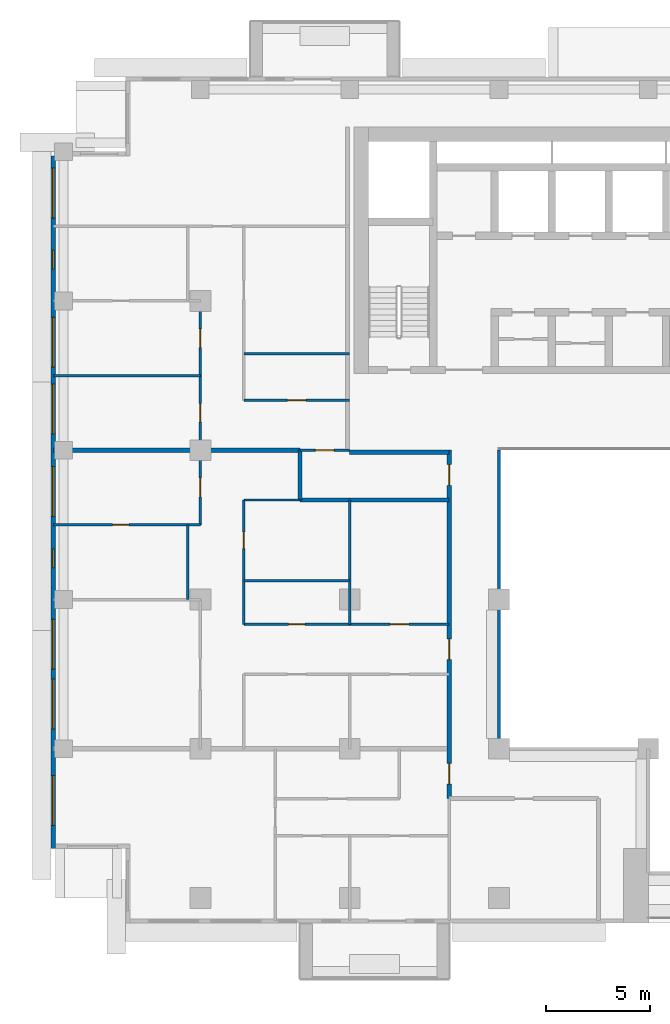
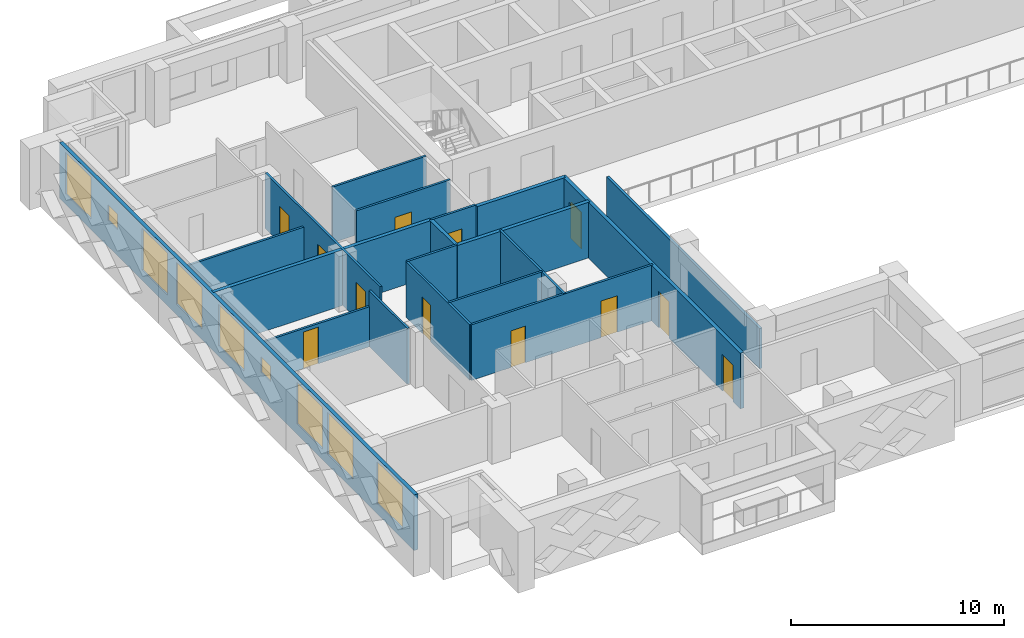
# One storey, part 7 of 20: 19 walls, 12 doors, 9 windows, 21 openings.
"""IFC4 building model written with IfcOpenShell, lengths in metres."""

from ifc_helpers import new_model, si_unit, direction, frame, frame_2d, origin, place, context, subcontext, project, spatial, rectangle, extrude, material, layer, layer_set, type_object, element, fill, save


model = new_model("IFC4")

# Units and contexts
model_context = context("Model", 3, precision=1e-05, world=origin(), true_north=direction((0.0, 1.0)))
body_context = subcontext(model_context, "Body", "Model", "MODEL_VIEW")
ifc_project = project(units=[si_unit("LENGTHUNIT", "METRE"), si_unit("AREAUNIT", "SQUARE_METRE"), si_unit("VOLUMEUNIT", "CUBIC_METRE"), si_unit("PLANEANGLEUNIT", "RADIAN"), si_unit("MASSUNIT", "GRAM", prefix="KILO")], contexts=[model_context])

# Site, building, storey
site_placement = place(None, origin())
site = spatial("IfcSite", under=ifc_project, at=site_placement, CompositionType="ELEMENT")
building_placement = place(site_placement, origin())
building = spatial("IfcBuilding", under=site, at=building_placement, Name="Saffron Iwan Residences", CompositionType="ELEMENT")
storey_placement = place(building_placement, frame((0.0, 0.0, 146.5)))
storey = spatial("IfcBuildingStorey", under=building, at=storey_placement, Name="L38", CompositionType="ELEMENT", Elevation=146.5)

# Wall
ifc_material_1 = material(Name="Fire-rated glazing", Category="glass")
ifc_layer_1 = layer(ifc_material_1, 0.14990234375)
ifc_layer_set_1 = layer_set([ifc_layer_1], Name="Fire-rated glazing")
wall_type_1 = type_object("IfcWallType", Name="Atrium glazed screen 150", PredefinedType="SOLIDWALL", material=ifc_layer_set_1)
wall_1_placement = place(storey_placement, frame((36.0, 48.0, 0.0), z_axis=(0.0, 0.0, 1.0), x_axis=(0.0, 1.0, 0.0)))
element("IfcWall", 1, at=wall_1_placement, inside=storey, type_object=wall_type_1, Name="W-L38-SCREEN-v36-48", PredefinedType="SOLIDWALL", context=body_context, shape_type="SweptSolid", body=[
    extrude(rectangle(XDim=14.39990234375, YDim=0.14990234375, at=frame_2d((7.199951171875, 0.0))), origin(), (0.0, 0.0, 1.0), 2.300048828125),
])

# Wall, openings, windows
ifc_material_2 = material(Name="Concrete C40/50", Category="concrete")
ifc_layer_2 = layer(ifc_material_2, 0.199951171875)
ifc_layer_set_2 = layer_set([ifc_layer_2], Name="Concrete C40/50")
wall_type_2 = type_object("IfcWallType", Name="EXTERNAL WALL 200", PredefinedType="SOLIDWALL", material=ifc_layer_set_2)
wall_2_placement = place(storey_placement, frame((14.5, 76.60009765625, 0.0), z_axis=(0.0, 0.0, 1.0), x_axis=(0.0, -1.0, 0.0)))
wall_2 = element("IfcWall", 2, at=wall_2_placement, inside=storey, type_object=wall_type_2, Name="External wall L38 F8.0", PredefinedType="SOLIDWALL", context=body_context, shape_type="SweptSolid", body=[
    extrude(rectangle(XDim=33.400146484375, YDim=0.199951171875, at=frame_2d((16.7001953125, 0.0))), origin(), (0.0, 0.0, 1.0), 3.199951171875),
])
opening_1_placement = place(wall_2_placement, frame((29.887451171875, 0.0, 0.60009765625)))
opening_1 = element("IfcOpeningElement", 3, at=opening_1_placement, cuts=wall_2, Name="Opening W1", PredefinedType="OPENING", context=body_context, shape_type="SweptSolid", body=[
    extrude(rectangle(XDim=2.39990234375, YDim=2.39990234375, at=frame_2d((1.199951171875, 1.199951171875))), frame((0.0, 0.10986328125, 0.0), z_axis=(0.0, -1.0, 0.0), x_axis=(1.0, 0.0, 0.0)), (0.0, 0.0, 1.0), 0.219970703125),
])
opening_2_placement = place(wall_2_placement, frame((22.3583984375, 0.0, 0.60009765625)))
opening_2 = element("IfcOpeningElement", 4, at=opening_2_placement, cuts=wall_2, Name="Opening W1", PredefinedType="OPENING", context=body_context, shape_type="SweptSolid", body=[
    extrude(rectangle(XDim=2.39990234375, YDim=2.39990234375, at=frame_2d((1.199951171875, 1.199951171875))), frame((0.0, 0.10986328125, 0.0), z_axis=(0.0, -1.0, 0.0), x_axis=(1.0, 0.0, 0.0)), (0.0, 0.0, 1.0), 0.219970703125),
])
opening_3_placement = place(wall_2_placement, frame((25.24169921875, 0.0, 0.60009765625)))
opening_3 = element("IfcOpeningElement", 5, at=opening_3_placement, cuts=wall_2, Name="Opening W1", PredefinedType="OPENING", context=body_context, shape_type="SweptSolid", body=[
    extrude(rectangle(XDim=2.39990234375, YDim=2.39990234375, at=frame_2d((1.199951171875, 1.199951171875))), frame((0.0, 0.10986328125, 0.0), z_axis=(0.0, -1.0, 0.0), x_axis=(1.0, 0.0, 0.0)), (0.0, 0.0, 1.0), 0.219970703125),
])
opening_4_placement = place(wall_2_placement, frame((14.987548828125, 0.0, 0.60009765625)))
opening_4 = element("IfcOpeningElement", 6, at=opening_4_placement, cuts=wall_2, Name="Opening W1", PredefinedType="OPENING", context=body_context, shape_type="SweptSolid", body=[
    extrude(rectangle(XDim=2.39990234375, YDim=2.39990234375, at=frame_2d((1.199951171875, 1.199951171875))), frame((0.0, 0.10986328125, 0.0), z_axis=(0.0, -1.0, 0.0), x_axis=(1.0, 0.0, 0.0)), (0.0, 0.0, 1.0), 0.219970703125),
])
opening_5_placement = place(wall_2_placement, frame((18.96240234375, 0.0, 1.5)))
opening_5 = element("IfcOpeningElement", 7, at=opening_5_placement, cuts=wall_2, Name="Opening W6", PredefinedType="OPENING", context=body_context, shape_type="SweptSolid", body=[
    extrude(rectangle(XDim=0.89990234375, YDim=0.89990234375, at=frame_2d((0.449951171875, 0.449951171875))), frame((0.0, 0.10986328125, 0.0), z_axis=(0.0, -1.0, 0.0), x_axis=(1.0, 0.0, 0.0)), (0.0, 0.0, 1.0), 0.219970703125),
])
opening_6_placement = place(wall_2_placement, frame((11.012451171875, 0.0, 0.60009765625)))
opening_6 = element("IfcOpeningElement", 8, at=opening_6_placement, cuts=wall_2, Name="Opening W1", PredefinedType="OPENING", context=body_context, shape_type="SweptSolid", body=[
    extrude(rectangle(XDim=2.39990234375, YDim=2.39990234375, at=frame_2d((1.199951171875, 1.199951171875))), frame((0.0, 0.10986328125, 0.0), z_axis=(0.0, -1.0, 0.0), x_axis=(1.0, 0.0, 0.0)), (0.0, 0.0, 1.0), 0.219970703125),
])
opening_7_placement = place(wall_2_placement, frame((7.78759765625, 0.0, 0.60009765625)))
opening_7 = element("IfcOpeningElement", 9, at=opening_7_placement, cuts=wall_2, Name="Opening W1", PredefinedType="OPENING", context=body_context, shape_type="SweptSolid", body=[
    extrude(rectangle(XDim=2.39990234375, YDim=2.39990234375, at=frame_2d((1.199951171875, 1.199951171875))), frame((0.0, 0.10986328125, 0.0), z_axis=(0.0, -1.0, 0.0), x_axis=(1.0, 0.0, 0.0)), (0.0, 0.0, 1.0), 0.219970703125),
])
opening_8_placement = place(wall_2_placement, frame((4.5625, 0.0, 1.5)))
opening_8 = element("IfcOpeningElement", 10, at=opening_8_placement, cuts=wall_2, Name="Opening W6", PredefinedType="OPENING", context=body_context, shape_type="SweptSolid", body=[
    extrude(rectangle(XDim=0.89990234375, YDim=0.89990234375, at=frame_2d((0.449951171875, 0.449951171875))), frame((0.0, 0.10986328125, 0.0), z_axis=(0.0, -1.0, 0.0), x_axis=(1.0, 0.0, 0.0)), (0.0, 0.0, 1.0), 0.219970703125),
])
opening_9_placement = place(wall_2_placement, frame((0.60009765625, 0.0, 0.60009765625)))
opening_9 = element("IfcOpeningElement", 11, at=opening_9_placement, cuts=wall_2, Name="Opening W1", PredefinedType="OPENING", context=body_context, shape_type="SweptSolid", body=[
    extrude(rectangle(XDim=2.39990234375, YDim=2.39990234375, at=frame_2d((1.199951171875, 1.199951171875))), frame((0.0, 0.10986328125, 0.0), z_axis=(0.0, -1.0, 0.0), x_axis=(1.0, 0.0, 0.0)), (0.0, 0.0, 1.0), 0.219970703125),
])
ifc_material_3 = material(Name="Clear glass, laminated double glazed", Category="glass")
window_type_1 = type_object("IfcWindowType", Name="WINDOW 2400 x 2400", PartitioningType="DOUBLE_PANEL_VERTICAL", PredefinedType="WINDOW", material=ifc_material_3)
window_1_placement = place(opening_1_placement, origin())
window_1 = element("IfcWindow", 12, at=window_1_placement, inside=storey, type_object=window_type_1, Name="Window L38 F8.0", OverallHeight=2.39990234375, OverallWidth=2.39990234375, PartitioningType="DOUBLE_PANEL_VERTICAL", PredefinedType="WINDOW", context=body_context, shape_type="SweptSolid", body=[
    extrude(rectangle(XDim=2.39990234375, YDim=2.39990234375, at=frame_2d((1.199951171875, 1.199951171875))), frame((0.0, 0.030029296875, 0.0), z_axis=(0.0, -1.0, 0.0), x_axis=(1.0, 0.0, 0.0)), (0.0, 0.0, 1.0), 0.06005859375),
])
fill(opening_1, window_1)
window_2_placement = place(opening_2_placement, origin())
window_2 = element("IfcWindow", 13, at=window_2_placement, inside=storey, type_object=window_type_1, Name="Window L38 F8.1", OverallHeight=2.39990234375, OverallWidth=2.39990234375, PartitioningType="DOUBLE_PANEL_VERTICAL", PredefinedType="WINDOW", context=body_context, shape_type="SweptSolid", body=[
    extrude(rectangle(XDim=2.39990234375, YDim=2.39990234375, at=frame_2d((1.199951171875, 1.199951171875))), frame((0.0, 0.030029296875, 0.0), z_axis=(0.0, -1.0, 0.0), x_axis=(1.0, 0.0, 0.0)), (0.0, 0.0, 1.0), 0.06005859375),
])
fill(opening_2, window_2)
window_3_placement = place(opening_3_placement, origin())
window_3 = element("IfcWindow", 14, at=window_3_placement, inside=storey, type_object=window_type_1, Name="Window L38 F8.2", OverallHeight=2.39990234375, OverallWidth=2.39990234375, PartitioningType="DOUBLE_PANEL_VERTICAL", PredefinedType="WINDOW", context=body_context, shape_type="SweptSolid", body=[
    extrude(rectangle(XDim=2.39990234375, YDim=2.39990234375, at=frame_2d((1.199951171875, 1.199951171875))), frame((0.0, 0.030029296875, 0.0), z_axis=(0.0, -1.0, 0.0), x_axis=(1.0, 0.0, 0.0)), (0.0, 0.0, 1.0), 0.06005859375),
])
fill(opening_3, window_3)
window_4_placement = place(opening_4_placement, origin())
window_4 = element("IfcWindow", 15, at=window_4_placement, inside=storey, type_object=window_type_1, Name="Window L38 F8.3", OverallHeight=2.39990234375, OverallWidth=2.39990234375, PartitioningType="DOUBLE_PANEL_VERTICAL", PredefinedType="WINDOW", context=body_context, shape_type="SweptSolid", body=[
    extrude(rectangle(XDim=2.39990234375, YDim=2.39990234375, at=frame_2d((1.199951171875, 1.199951171875))), frame((0.0, 0.030029296875, 0.0), z_axis=(0.0, -1.0, 0.0), x_axis=(1.0, 0.0, 0.0)), (0.0, 0.0, 1.0), 0.06005859375),
])
fill(opening_4, window_4)
window_5_placement = place(opening_6_placement, origin())
window_5 = element("IfcWindow", 16, at=window_5_placement, inside=storey, type_object=window_type_1, Name="Window L38 F8.5", OverallHeight=2.39990234375, OverallWidth=2.39990234375, PartitioningType="DOUBLE_PANEL_VERTICAL", PredefinedType="WINDOW", context=body_context, shape_type="SweptSolid", body=[
    extrude(rectangle(XDim=2.39990234375, YDim=2.39990234375, at=frame_2d((1.199951171875, 1.199951171875))), frame((0.0, 0.030029296875, 0.0), z_axis=(0.0, -1.0, 0.0), x_axis=(1.0, 0.0, 0.0)), (0.0, 0.0, 1.0), 0.06005859375),
])
fill(opening_6, window_5)
window_6_placement = place(opening_7_placement, origin())
window_6 = element("IfcWindow", 17, at=window_6_placement, inside=storey, type_object=window_type_1, Name="Window L38 F8.6", OverallHeight=2.39990234375, OverallWidth=2.39990234375, PartitioningType="DOUBLE_PANEL_VERTICAL", PredefinedType="WINDOW", context=body_context, shape_type="SweptSolid", body=[
    extrude(rectangle(XDim=2.39990234375, YDim=2.39990234375, at=frame_2d((1.199951171875, 1.199951171875))), frame((0.0, 0.030029296875, 0.0), z_axis=(0.0, -1.0, 0.0), x_axis=(1.0, 0.0, 0.0)), (0.0, 0.0, 1.0), 0.06005859375),
])
fill(opening_7, window_6)
window_7_placement = place(opening_9_placement, origin())
window_7 = element("IfcWindow", 18, at=window_7_placement, inside=storey, type_object=window_type_1, Name="Window L38 F8.8", OverallHeight=2.39990234375, OverallWidth=2.39990234375, PartitioningType="DOUBLE_PANEL_VERTICAL", PredefinedType="WINDOW", context=body_context, shape_type="SweptSolid", body=[
    extrude(rectangle(XDim=2.39990234375, YDim=2.39990234375, at=frame_2d((1.199951171875, 1.199951171875))), frame((0.0, 0.030029296875, 0.0), z_axis=(0.0, -1.0, 0.0), x_axis=(1.0, 0.0, 0.0)), (0.0, 0.0, 1.0), 0.06005859375),
])
fill(opening_9, window_7)
window_type_2 = type_object("IfcWindowType", Name="WINDOW 900 x 900 BATH", PartitioningType="SINGLE_PANEL", PredefinedType="WINDOW", material=ifc_material_3)
window_8_placement = place(opening_5_placement, origin())
window_8 = element("IfcWindow", 19, at=window_8_placement, inside=storey, type_object=window_type_2, Name="Window L38 F8.4", OverallHeight=0.89990234375, OverallWidth=0.89990234375, PartitioningType="SINGLE_PANEL", PredefinedType="WINDOW", context=body_context, shape_type="SweptSolid", body=[
    extrude(rectangle(XDim=0.89990234375, YDim=0.89990234375, at=frame_2d((0.449951171875, 0.449951171875))), frame((0.0, 0.030029296875, 0.0), z_axis=(0.0, -1.0, 0.0), x_axis=(1.0, 0.0, 0.0)), (0.0, 0.0, 1.0), 0.06005859375),
])
fill(opening_5, window_8)
window_9_placement = place(opening_8_placement, origin())
window_9 = element("IfcWindow", 20, at=window_9_placement, inside=storey, type_object=window_type_2, Name="Window L38 F8.7", OverallHeight=0.89990234375, OverallWidth=0.89990234375, PartitioningType="SINGLE_PANEL", PredefinedType="WINDOW", context=body_context, shape_type="SweptSolid", body=[
    extrude(rectangle(XDim=0.89990234375, YDim=0.89990234375, at=frame_2d((0.449951171875, 0.449951171875))), frame((0.0, 0.030029296875, 0.0), z_axis=(0.0, -1.0, 0.0), x_axis=(1.0, 0.0, 0.0)), (0.0, 0.0, 1.0), 0.06005859375),
])
fill(opening_8, window_9)

# Walls
ifc_material_4 = material(Name="Fire-rated gypsum board wall")
ifc_layer_3 = layer(ifc_material_4, 0.199951171875)
ifc_layer_set_3 = layer_set([ifc_layer_3], Name="Fire-rated gypsum board wall")
wall_type_3 = type_object("IfcWallType", Name="Flat demising wall 200", PredefinedType="SOLIDWALL", material=ifc_layer_set_3)
wall_3_placement = place(storey_placement, frame((26.39990234375, 60.0, 0.0), z_axis=(0.0, 0.0, 1.0), x_axis=(1.0, 0.0, 0.0)))
element("IfcWall", 21, at=wall_3_placement, inside=storey, type_object=wall_type_3, Name="W-L38-DEMISE-h60-26.4", PredefinedType="SOLIDWALL", context=body_context, shape_type="SweptSolid", body=[
    extrude(rectangle(XDim=7.2001953125, YDim=0.199951171875, at=frame_2d((3.60009765625, 0.0))), origin(), (0.0, 0.0, 1.0), 3.199951171875),
])
wall_4_placement = place(storey_placement, frame((14.52490234375, 62.39990234375, 0.0), z_axis=(0.0, 0.0, 1.0), x_axis=(1.0, 0.0, 0.0)))
element("IfcWall", 22, at=wall_4_placement, inside=storey, type_object=wall_type_3, Name="W-L38-DEMISE-h62.4-14.525", PredefinedType="SOLIDWALL", context=body_context, shape_type="SweptSolid", body=[
    extrude(rectangle(XDim=11.875, YDim=0.199951171875, at=frame_2d((5.9375, 0.0))), origin(), (0.0, 0.0, 1.0), 3.199951171875),
])
wall_5_placement = place(storey_placement, frame((26.39990234375, 60.0, 0.0), z_axis=(0.0, 0.0, 1.0), x_axis=(0.0, 1.0, 0.0)))
element("IfcWall", 23, at=wall_5_placement, inside=storey, type_object=wall_type_3, Name="W-L38-DEMISE-v26.4-60", PredefinedType="SOLIDWALL", context=body_context, shape_type="SweptSolid", body=[
    extrude(rectangle(XDim=2.39990234375, YDim=0.199951171875, at=frame_2d((1.199951171875, 0.0))), origin(), (0.0, 0.0, 1.0), 3.199951171875),
])

# Wall, openings, doors
ifc_material_5 = material(Name="Gypsum board partition")
ifc_layer_4 = layer(ifc_material_5, 0.1201171875)
ifc_layer_set_4 = layer_set([ifc_layer_4], Name="Gypsum board partition")
wall_type_4 = type_object("IfcWallType", Name="Flat partition 120", PredefinedType="PARTITIONING", material=ifc_layer_set_4)
wall_6_placement = place(storey_placement, frame((23.699951171875, 54.0, 0.0), z_axis=(0.0, 0.0, 1.0), x_axis=(1.0, 0.0, 0.0)))
wall_6 = element("IfcWall", 24, at=wall_6_placement, inside=storey, type_object=wall_type_4, Name="W-L38-PART-h54-23.7", PredefinedType="PARTITIONING", context=body_context, shape_type="SweptSolid", body=[
    extrude(rectangle(XDim=9.900146484375, YDim=0.1201171875, at=frame_2d((4.9501953125, 0.0))), origin(), (0.0, 0.0, 1.0), 3.199951171875),
])
opening_10_placement = place(wall_6_placement, frame((2.14990234375, 0.0, 0.0)))
opening_10 = element("IfcOpeningElement", 25, at=opening_10_placement, cuts=wall_6, Name="Opening FD3", PredefinedType="OPENING", context=body_context, shape_type="SweptSolid", body=[
    extrude(rectangle(XDim=0.800048828125, YDim=2.10009765625, at=frame_2d((0.39990234375, 1.050048828125))), frame((0.0, 0.070068359375, 0.0), z_axis=(0.0, -1.0, 0.0), x_axis=(1.0, 0.0, 0.0)), (0.0, 0.0, 1.0), 0.14013671875),
])
opening_11_placement = place(wall_6_placement, frame((7.050048828125, 0.0, 0.0)))
opening_11 = element("IfcOpeningElement", 26, at=opening_11_placement, cuts=wall_6, Name="Opening FD2", PredefinedType="OPENING", context=body_context, shape_type="SweptSolid", body=[
    extrude(rectangle(XDim=0.89990234375, YDim=2.10009765625, at=frame_2d((0.449951171875, 1.050048828125))), frame((0.0, 0.070068359375, 0.0), z_axis=(0.0, -1.0, 0.0), x_axis=(1.0, 0.0, 0.0)), (0.0, 0.0, 1.0), 0.14013671875),
])
ifc_material_6 = material(Name="Timber door", Category="wood")
door_type_1 = type_object("IfcDoorType", Name="Bathroom door 800", OperationType="NOTDEFINED", PredefinedType="DOOR", material=ifc_material_6)
door_1_placement = place(opening_10_placement, origin())
door_1 = element("IfcDoor", 27, at=door_1_placement, inside=storey, type_object=door_type_1, Name="Door L38-012", OperationType="SINGLE_SWING_LEFT", OverallHeight=2.10009765625, OverallWidth=0.800048828125, PredefinedType="DOOR", context=body_context, shape_type="SweptSolid", body=[
    extrude(rectangle(XDim=0.800048828125, YDim=2.10009765625, at=frame_2d((0.39990234375, 1.050048828125))), frame((0.0, 0.02490234375, 0.0), z_axis=(0.0, -1.0, 0.0), x_axis=(1.0, 0.0, 0.0)), (0.0, 0.0, 1.0), 0.050048828125),
])
fill(opening_10, door_1)
door_type_2 = type_object("IfcDoorType", Name="Flat door 900", OperationType="NOTDEFINED", PredefinedType="DOOR", material=ifc_material_6)
door_2_placement = place(opening_11_placement, origin())
door_2 = element("IfcDoor", 28, at=door_2_placement, inside=storey, type_object=door_type_2, Name="Door L38-015", OperationType="SINGLE_SWING_LEFT", OverallHeight=2.10009765625, OverallWidth=0.89990234375, PredefinedType="DOOR", context=body_context, shape_type="SweptSolid", body=[
    extrude(rectangle(XDim=0.89990234375, YDim=2.10009765625, at=frame_2d((0.449951171875, 1.050048828125))), frame((0.0, 0.02490234375, 0.0), z_axis=(0.0, -1.0, 0.0), x_axis=(1.0, 0.0, 0.0)), (0.0, 0.0, 1.0), 0.050048828125),
])
fill(opening_11, door_2)

# Wall
wall_7_placement = place(storey_placement, frame((23.699951171875, 56.10009765625, 0.0), z_axis=(0.0, 0.0, 1.0), x_axis=(1.0, 0.0, 0.0)))
element("IfcWall", 29, at=wall_7_placement, inside=storey, type_object=wall_type_4, Name="W-L38-PART-h56.1-23.7", PredefinedType="PARTITIONING", context=body_context, shape_type="SweptSolid", body=[
    extrude(rectangle(XDim=5.10009765625, YDim=0.1201171875, at=frame_2d((2.550048828125, 0.0))), origin(), (0.0, 0.0, 1.0), 3.199951171875),
])

# Wall, opening, door
wall_8_placement = place(storey_placement, frame((14.52490234375, 58.800048828125, 0.0), z_axis=(0.0, 0.0, 1.0), x_axis=(1.0, 0.0, 0.0)))
wall_8 = element("IfcWall", 30, at=wall_8_placement, inside=storey, type_object=wall_type_4, Name="W-L38-PART-h58.8-14.525", PredefinedType="PARTITIONING", context=body_context, shape_type="SweptSolid", body=[
    extrude(rectangle(XDim=7.0751953125, YDim=0.1201171875, at=frame_2d((3.53759765625, 0.0))), origin(), (0.0, 0.0, 1.0), 2.300048828125),
])
opening_12_placement = place(wall_8_placement, frame((2.83740234375, 0.0, 0.0)))
opening_12 = element("IfcOpeningElement", 31, at=opening_12_placement, cuts=wall_8, Name="Opening FD3", PredefinedType="OPENING", context=body_context, shape_type="SweptSolid", body=[
    extrude(rectangle(XDim=0.800048828125, YDim=2.10009765625, at=frame_2d((0.39990234375, 1.050048828125))), frame((0.0, 0.070068359375, 0.0), z_axis=(0.0, -1.0, 0.0), x_axis=(1.0, 0.0, 0.0)), (0.0, 0.0, 1.0), 0.14013671875),
])
door_3_placement = place(opening_12_placement, origin())
door_3 = element("IfcDoor", 32, at=door_3_placement, inside=storey, type_object=door_type_1, Name="Door L38-010", OperationType="SINGLE_SWING_LEFT", OverallHeight=2.10009765625, OverallWidth=0.800048828125, PredefinedType="DOOR", context=body_context, shape_type="SweptSolid", body=[
    extrude(rectangle(XDim=0.800048828125, YDim=2.10009765625, at=frame_2d((0.39990234375, 1.050048828125))), frame((0.0, 0.02490234375, 0.0), z_axis=(0.0, -1.0, 0.0), x_axis=(1.0, 0.0, 0.0)), (0.0, 0.0, 1.0), 0.050048828125),
])
fill(opening_12, door_3)

# Wall
wall_9_placement = place(storey_placement, frame((23.699951171875, 60.0, 0.0), z_axis=(0.0, 0.0, 1.0), x_axis=(1.0, 0.0, 0.0)))
element("IfcWall", 33, at=wall_9_placement, inside=storey, type_object=wall_type_4, Name="W-L38-PART-h60-23.7", PredefinedType="PARTITIONING", context=body_context, shape_type="SweptSolid", body=[
    extrude(rectangle(XDim=2.699951171875, YDim=0.1201171875, at=frame_2d((1.35009765625, 0.0))), origin(), (0.0, 0.0, 1.0), 3.199951171875),
])

# Wall, opening, door
wall_10_placement = place(storey_placement, frame((26.39990234375, 62.39990234375, 0.0), z_axis=(0.0, 0.0, 1.0), x_axis=(1.0, 0.0, 0.0)))
wall_10 = element("IfcWall", 34, at=wall_10_placement, inside=storey, type_object=wall_type_4, Name="W-L38-PART-h62.4-26.4", PredefinedType="PARTITIONING", context=body_context, shape_type="SweptSolid", body=[
    extrude(rectangle(XDim=2.400146484375, YDim=0.1201171875, at=frame_2d((1.2001953125, 0.0))), origin(), (0.0, 0.0, 1.0), 3.199951171875),
])
opening_13_placement = place(wall_10_placement, frame((0.75, 0.0, 0.0)))
opening_13 = element("IfcOpeningElement", 35, at=opening_13_placement, cuts=wall_10, Name="Opening FD2", PredefinedType="OPENING", context=body_context, shape_type="SweptSolid", body=[
    extrude(rectangle(XDim=0.89990234375, YDim=2.10009765625, at=frame_2d((0.449951171875, 1.050048828125))), frame((0.0, 0.070068359375, 0.0), z_axis=(0.0, -1.0, 0.0), x_axis=(1.0, 0.0, 0.0)), (0.0, 0.0, 1.0), 0.14013671875),
])
door_4_placement = place(opening_13_placement, origin())
door_4 = element("IfcDoor", 36, at=door_4_placement, inside=storey, type_object=door_type_2, Name="Door L38-022", OperationType="SINGLE_SWING_LEFT", OverallHeight=2.10009765625, OverallWidth=0.89990234375, PredefinedType="DOOR", context=body_context, shape_type="SweptSolid", body=[
    extrude(rectangle(XDim=0.89990234375, YDim=2.10009765625, at=frame_2d((0.449951171875, 1.050048828125))), frame((0.0, 0.02490234375, 0.0), z_axis=(0.0, -1.0, 0.0), x_axis=(1.0, 0.0, 0.0)), (0.0, 0.0, 1.0), 0.050048828125),
])
fill(opening_13, door_4)

wall_11_placement = place(storey_placement, frame((23.699951171875, 64.800048828125, 0.0), z_axis=(0.0, 0.0, 1.0), x_axis=(1.0, 0.0, 0.0)))
wall_11 = element("IfcWall", 37, at=wall_11_placement, inside=storey, type_object=wall_type_4, Name="W-L38-PART-h64.8-23.7", PredefinedType="PARTITIONING", context=body_context, shape_type="SweptSolid", body=[
    extrude(rectangle(XDim=5.10009765625, YDim=0.1201171875, at=frame_2d((2.550048828125, 0.0))), origin(), (0.0, 0.0, 1.0), 3.199951171875),
])
opening_14_placement = place(wall_11_placement, frame((2.10009765625, 0.0, 0.0)))
opening_14 = element("IfcOpeningElement", 38, at=opening_14_placement, cuts=wall_11, Name="Opening FD2", PredefinedType="OPENING", context=body_context, shape_type="SweptSolid", body=[
    extrude(rectangle(XDim=0.89990234375, YDim=2.10009765625, at=frame_2d((0.449951171875, 1.050048828125))), frame((0.0, 0.070068359375, 0.0), z_axis=(0.0, -1.0, 0.0), x_axis=(1.0, 0.0, 0.0)), (0.0, 0.0, 1.0), 0.14013671875),
])
door_5_placement = place(opening_14_placement, origin())
door_5 = element("IfcDoor", 39, at=door_5_placement, inside=storey, type_object=door_type_2, Name="Door L38-028", OperationType="SINGLE_SWING_LEFT", OverallHeight=2.10009765625, OverallWidth=0.89990234375, PredefinedType="DOOR", context=body_context, shape_type="SweptSolid", body=[
    extrude(rectangle(XDim=0.89990234375, YDim=2.10009765625, at=frame_2d((0.449951171875, 1.050048828125))), frame((0.0, 0.02490234375, 0.0), z_axis=(0.0, -1.0, 0.0), x_axis=(1.0, 0.0, 0.0)), (0.0, 0.0, 1.0), 0.050048828125),
])
fill(opening_14, door_5)

# Walls
wall_12_placement = place(storey_placement, frame((14.52490234375, 66.0, 0.0), z_axis=(0.0, 0.0, 1.0), x_axis=(1.0, 0.0, 0.0)))
element("IfcWall", 40, at=wall_12_placement, inside=storey, type_object=wall_type_4, Name="W-L38-PART-h66-14.525", PredefinedType="PARTITIONING", context=body_context, shape_type="SweptSolid", body=[
    extrude(rectangle(XDim=7.0751953125, YDim=0.1201171875, at=frame_2d((3.53759765625, 0.0))), origin(), (0.0, 0.0, 1.0), 2.300048828125),
])
wall_13_placement = place(storey_placement, frame((23.699951171875, 67.050048828125, 0.0), z_axis=(0.0, 0.0, 1.0), x_axis=(1.0, 0.0, 0.0)))
element("IfcWall", 41, at=wall_13_placement, inside=storey, type_object=wall_type_4, Name="W-L38-PART-h67.05-23.7", PredefinedType="PARTITIONING", context=body_context, shape_type="SweptSolid", body=[
    extrude(rectangle(XDim=5.10009765625, YDim=0.1201171875, at=frame_2d((2.550048828125, 0.0))), origin(), (0.0, 0.0, 1.0), 3.199951171875),
])
wall_14_placement = place(storey_placement, frame((21.0, 55.199951171875, 0.0), z_axis=(0.0, 0.0, 1.0), x_axis=(0.0, 1.0, 0.0)))
element("IfcWall", 42, at=wall_14_placement, inside=storey, type_object=wall_type_4, Name="W-L38-PART-v21-55.2", PredefinedType="PARTITIONING", context=body_context, shape_type="SweptSolid", body=[
    extrude(rectangle(XDim=3.60009765625, YDim=0.1201171875, at=frame_2d((1.800048828125, 0.0))), origin(), (0.0, 0.0, 1.0), 3.199951171875),
])

# Wall, openings, doors
wall_15_placement = place(storey_placement, frame((21.60009765625, 58.800048828125, 0.0), z_axis=(0.0, 0.0, 1.0), x_axis=(0.0, 1.0, 0.0)))
wall_15 = element("IfcWall", 43, at=wall_15_placement, inside=storey, type_object=wall_type_4, Name="W-L38-PART-v21.6-58.8", PredefinedType="PARTITIONING", context=body_context, shape_type="SweptSolid", body=[
    extrude(rectangle(XDim=10.800048828125, YDim=0.1201171875, at=frame_2d((5.39990234375, 0.0))), origin(), (0.0, 0.0, 1.0), 3.199951171875),
])
opening_15_placement = place(wall_15_placement, frame((1.35009765625, 0.0, 0.0)))
opening_15 = element("IfcOpeningElement", 44, at=opening_15_placement, cuts=wall_15, Name="Opening FD2", PredefinedType="OPENING", context=body_context, shape_type="SweptSolid", body=[
    extrude(rectangle(XDim=0.89990234375, YDim=2.10009765625, at=frame_2d((0.449951171875, 1.050048828125))), frame((0.0, 0.070068359375, 0.0), z_axis=(0.0, -1.0, 0.0), x_axis=(1.0, 0.0, 0.0)), (0.0, 0.0, 1.0), 0.14013671875),
])
opening_16_placement = place(wall_15_placement, frame((4.949951171875, 0.0, 0.0)))
opening_16 = element("IfcOpeningElement", 45, at=opening_16_placement, cuts=wall_15, Name="Opening FD2", PredefinedType="OPENING", context=body_context, shape_type="SweptSolid", body=[
    extrude(rectangle(XDim=0.89990234375, YDim=2.10009765625, at=frame_2d((0.449951171875, 1.050048828125))), frame((0.0, 0.070068359375, 0.0), z_axis=(0.0, -1.0, 0.0), x_axis=(1.0, 0.0, 0.0)), (0.0, 0.0, 1.0), 0.14013671875),
])
opening_17_placement = place(wall_15_placement, frame((8.550048828125, 0.0, 0.0)))
opening_17 = element("IfcOpeningElement", 46, at=opening_17_placement, cuts=wall_15, Name="Opening FD2", PredefinedType="OPENING", context=body_context, shape_type="SweptSolid", body=[
    extrude(rectangle(XDim=0.89990234375, YDim=2.10009765625, at=frame_2d((0.449951171875, 1.050048828125))), frame((0.0, 0.070068359375, 0.0), z_axis=(0.0, -1.0, 0.0), x_axis=(1.0, 0.0, 0.0)), (0.0, 0.0, 1.0), 0.14013671875),
])
door_6_placement = place(opening_15_placement, origin())
door_6 = element("IfcDoor", 47, at=door_6_placement, inside=storey, type_object=door_type_2, Name="Door L38-009", OperationType="SINGLE_SWING_LEFT", OverallHeight=2.10009765625, OverallWidth=0.89990234375, PredefinedType="DOOR", context=body_context, shape_type="SweptSolid", body=[
    extrude(rectangle(XDim=0.89990234375, YDim=2.10009765625, at=frame_2d((0.449951171875, 1.050048828125))), frame((0.0, 0.02490234375, 0.0), z_axis=(0.0, -1.0, 0.0), x_axis=(1.0, 0.0, 0.0)), (0.0, 0.0, 1.0), 0.050048828125),
])
fill(opening_15, door_6)
door_7_placement = place(opening_16_placement, origin())
door_7 = element("IfcDoor", 48, at=door_7_placement, inside=storey, type_object=door_type_2, Name="Door L38-024", OperationType="SINGLE_SWING_LEFT", OverallHeight=2.10009765625, OverallWidth=0.89990234375, PredefinedType="DOOR", context=body_context, shape_type="SweptSolid", body=[
    extrude(rectangle(XDim=0.89990234375, YDim=2.10009765625, at=frame_2d((0.449951171875, 1.050048828125))), frame((0.0, 0.02490234375, 0.0), z_axis=(0.0, -1.0, 0.0), x_axis=(1.0, 0.0, 0.0)), (0.0, 0.0, 1.0), 0.050048828125),
])
fill(opening_16, door_7)
door_8_placement = place(opening_17_placement, origin())
door_8 = element("IfcDoor", 49, at=door_8_placement, inside=storey, type_object=door_type_2, Name="Door L38-025", OperationType="SINGLE_SWING_LEFT", OverallHeight=2.10009765625, OverallWidth=0.89990234375, PredefinedType="DOOR", context=body_context, shape_type="SweptSolid", body=[
    extrude(rectangle(XDim=0.89990234375, YDim=2.10009765625, at=frame_2d((0.449951171875, 1.050048828125))), frame((0.0, 0.02490234375, 0.0), z_axis=(0.0, -1.0, 0.0), x_axis=(1.0, 0.0, 0.0)), (0.0, 0.0, 1.0), 0.050048828125),
])
fill(opening_17, door_8)

# Wall, opening, door
wall_16_placement = place(storey_placement, frame((23.699951171875, 54.0, 0.0), z_axis=(0.0, 0.0, 1.0), x_axis=(0.0, 1.0, 0.0)))
wall_16 = element("IfcWall", 50, at=wall_16_placement, inside=storey, type_object=wall_type_4, Name="W-L38-PART-v23.7-54", PredefinedType="PARTITIONING", context=body_context, shape_type="SweptSolid", body=[
    extrude(rectangle(XDim=6.0, YDim=0.1201171875, at=frame_2d((3.0, 0.0))), origin(), (0.0, 0.0, 1.0), 3.199951171875),
])
opening_18_placement = place(wall_16_placement, frame((3.64990234375, 0.0, 0.0)))
opening_18 = element("IfcOpeningElement", 51, at=opening_18_placement, cuts=wall_16, Name="Opening FD3", PredefinedType="OPENING", context=body_context, shape_type="SweptSolid", body=[
    extrude(rectangle(XDim=0.800048828125, YDim=2.10009765625, at=frame_2d((0.39990234375, 1.050048828125))), frame((0.0, 0.070068359375, 0.0), z_axis=(0.0, -1.0, 0.0), x_axis=(1.0, 0.0, 0.0)), (0.0, 0.0, 1.0), 0.14013671875),
])
door_9_placement = place(opening_18_placement, origin())
door_9 = element("IfcDoor", 52, at=door_9_placement, inside=storey, type_object=door_type_1, Name="Door L38-013", OperationType="SINGLE_SWING_LEFT", OverallHeight=2.10009765625, OverallWidth=0.800048828125, PredefinedType="DOOR", context=body_context, shape_type="SweptSolid", body=[
    extrude(rectangle(XDim=0.800048828125, YDim=2.10009765625, at=frame_2d((0.39990234375, 1.050048828125))), frame((0.0, 0.02490234375, 0.0), z_axis=(0.0, -1.0, 0.0), x_axis=(1.0, 0.0, 0.0)), (0.0, 0.0, 1.0), 0.050048828125),
])
fill(opening_18, door_9)

# Walls
wall_17_placement = place(storey_placement, frame((28.800048828125, 54.0, 0.0), z_axis=(0.0, 0.0, 1.0), x_axis=(0.0, 1.0, 0.0)))
element("IfcWall", 53, at=wall_17_placement, inside=storey, type_object=wall_type_4, Name="W-L38-PART-v28.8-54", PredefinedType="PARTITIONING", context=body_context, shape_type="SweptSolid", body=[
    extrude(rectangle(XDim=6.0, YDim=0.1201171875, at=frame_2d((3.0, 0.0))), origin(), (0.0, 0.0, 1.0), 3.199951171875),
])
ifc_layer_5 = layer(ifc_material_4, 0.199951171875)
ifc_layer_set_5 = layer_set([ifc_layer_5], Name="Fire-rated gypsum board wall")
wall_type_5 = type_object("IfcWallType", Name="Gallery wall 200", PredefinedType="SOLIDWALL", material=ifc_layer_set_5)
wall_18_placement = place(storey_placement, frame((28.800048828125, 62.300048828125, 0.0), z_axis=(0.0, 0.0, 1.0), x_axis=(1.0, 0.0, 0.0)))
element("IfcWall", 54, at=wall_18_placement, inside=storey, type_object=wall_type_5, Name="W-L38-CORR-h62.4-28.8", PredefinedType="SOLIDWALL", context=body_context, shape_type="SweptSolid", body=[
    extrude(rectangle(XDim=4.800048828125, YDim=0.199951171875, at=frame_2d((2.39990234375, 0.0))), origin(), (0.0, 0.0, 1.0), 3.199951171875),
])

# Wall, openings, doors
wall_19_placement = place(storey_placement, frame((33.60009765625, 45.60009765625, 0.0), z_axis=(0.0, 0.0, 1.0), x_axis=(0.0, 1.0, 0.0)))
wall_19 = element("IfcWall", 55, at=wall_19_placement, inside=storey, type_object=wall_type_5, Name="W-L38-CORR-v33.6-45.6", PredefinedType="SOLIDWALL", context=body_context, shape_type="SweptSolid", body=[
    extrude(rectangle(XDim=16.7998046875, YDim=0.199951171875, at=frame_2d((8.39990234375, 0.0))), origin(), (0.0, 0.0, 1.0), 3.199951171875),
])
opening_19_placement = place(wall_19_placement, frame((0.699951171875, 0.0, 0.0)))
opening_19 = element("IfcOpeningElement", 56, at=opening_19_placement, cuts=wall_19, Name="Opening FD1", PredefinedType="OPENING", context=body_context, shape_type="SweptSolid", body=[
    extrude(rectangle(XDim=1.0, YDim=2.10009765625, at=frame_2d((0.5, 1.050048828125))), frame((0.0, 0.10986328125, 0.0), z_axis=(0.0, -1.0, 0.0), x_axis=(1.0, 0.0, 0.0)), (0.0, 0.0, 1.0), 0.219970703125),
])
opening_20_placement = place(wall_19_placement, frame((6.699951171875, 0.0, 0.0)))
opening_20 = element("IfcOpeningElement", 57, at=opening_20_placement, cuts=wall_19, Name="Opening FD1", PredefinedType="OPENING", context=body_context, shape_type="SweptSolid", body=[
    extrude(rectangle(XDim=1.0, YDim=2.10009765625, at=frame_2d((0.5, 1.050048828125))), frame((0.0, 0.10986328125, 0.0), z_axis=(0.0, -1.0, 0.0), x_axis=(1.0, 0.0, 0.0)), (0.0, 0.0, 1.0), 0.219970703125),
])
opening_21_placement = place(wall_19_placement, frame((15.10009765625, 0.0, 0.0)))
opening_21 = element("IfcOpeningElement", 58, at=opening_21_placement, cuts=wall_19, Name="Opening FD5", PredefinedType="OPENING", context=body_context, shape_type="SweptSolid", body=[
    extrude(rectangle(XDim=1.0, YDim=2.10009765625, at=frame_2d((0.5, 1.050048828125))), frame((0.0, 0.10986328125, 0.0), z_axis=(0.0, -1.0, 0.0), x_axis=(1.0, 0.0, 0.0)), (0.0, 0.0, 1.0), 0.219970703125),
])
ifc_material_7 = material(Name="Fire-rated timber door", Category="wood")
door_type_3 = type_object("IfcDoorType", Name="FD30S flat entrance door 1000", OperationType="NOTDEFINED", PredefinedType="DOOR", material=ifc_material_7)
door_10_placement = place(opening_19_placement, origin())
door_10 = element("IfcDoor", 59, at=door_10_placement, inside=storey, type_object=door_type_3, Name="Door L38-001", OperationType="SINGLE_SWING_LEFT", OverallHeight=2.10009765625, OverallWidth=1.0, PredefinedType="DOOR", context=body_context, shape_type="SweptSolid", body=[
    extrude(rectangle(XDim=1.0, YDim=2.10009765625, at=frame_2d((0.5, 1.050048828125))), frame((0.0, 0.02490234375, 0.0), z_axis=(0.0, -1.0, 0.0), x_axis=(1.0, 0.0, 0.0)), (0.0, 0.0, 1.0), 0.050048828125),
])
fill(opening_19, door_10)
door_11_placement = place(opening_20_placement, origin())
door_11 = element("IfcDoor", 60, at=door_11_placement, inside=storey, type_object=door_type_3, Name="Door L38-007", OperationType="SINGLE_SWING_LEFT", OverallHeight=2.10009765625, OverallWidth=1.0, PredefinedType="DOOR", context=body_context, shape_type="SweptSolid", body=[
    extrude(rectangle(XDim=1.0, YDim=2.10009765625, at=frame_2d((0.5, 1.050048828125))), frame((0.0, 0.02490234375, 0.0), z_axis=(0.0, -1.0, 0.0), x_axis=(1.0, 0.0, 0.0)), (0.0, 0.0, 1.0), 0.050048828125),
])
fill(opening_20, door_11)
door_type_4 = type_object("IfcDoorType", Name="Lobby door 1000", OperationType="NOTDEFINED", PredefinedType="DOOR", material=ifc_material_7)
door_12_placement = place(opening_21_placement, origin())
door_12 = element("IfcDoor", 61, at=door_12_placement, inside=storey, type_object=door_type_4, Name="Door L38-023", OperationType="SINGLE_SWING_RIGHT", OverallHeight=2.10009765625, OverallWidth=1.0, PredefinedType="DOOR", context=body_context, shape_type="SweptSolid", body=[
    extrude(rectangle(XDim=1.0, YDim=2.10009765625, at=frame_2d((0.5, 1.050048828125))), frame((0.0, 0.02490234375, 0.0), z_axis=(0.0, -1.0, 0.0), x_axis=(1.0, 0.0, 0.0)), (0.0, 0.0, 1.0), 0.050048828125),
])
fill(opening_21, door_12)

save(model, "model.ifc")
